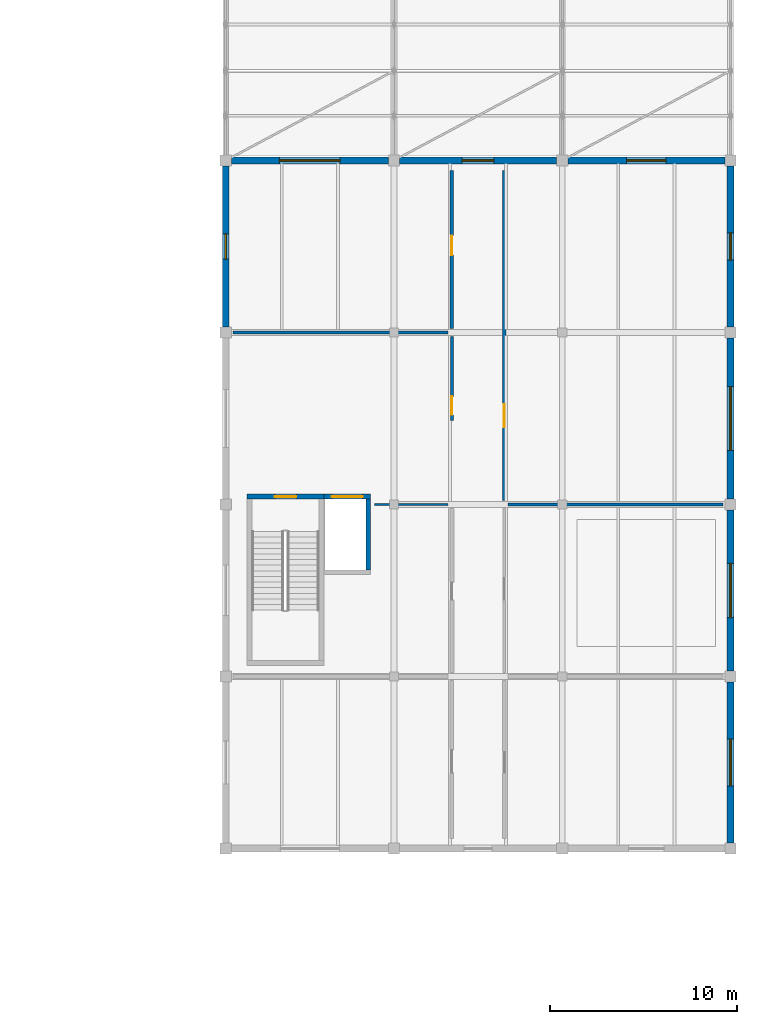
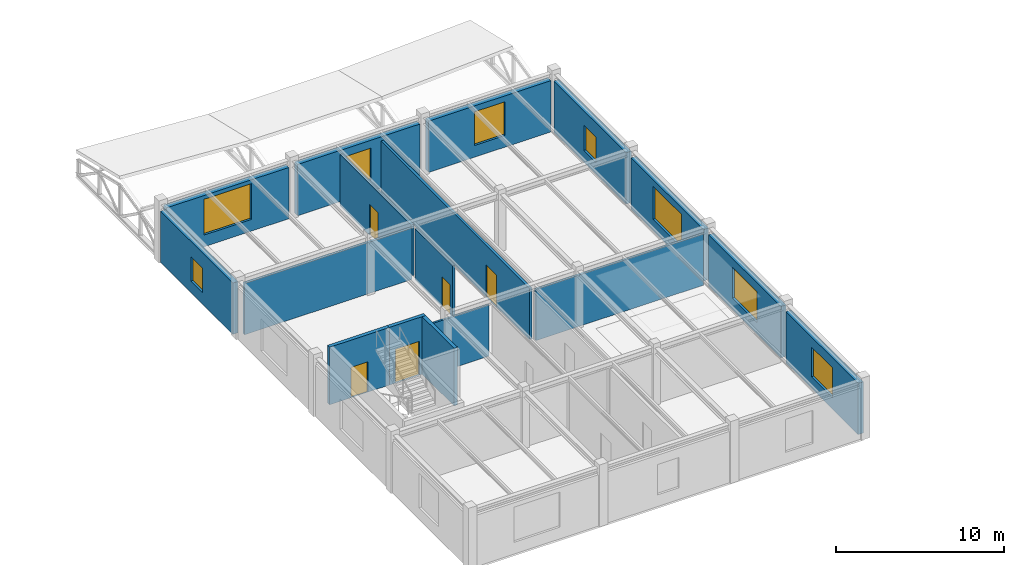
# One storey, part 46 of 55: 17 walls, 8 windows, 5 doors, 13 openings.
"""IFC4 building model written with IfcOpenShell, lengths in metres."""

from ifc_helpers import new_model, si_unit, direction, frame, frame_2d, origin, place, context, subcontext, project, spatial, rectangle, extrude, material, layer, layer_set, type_object, element, fill, save


model = new_model("IFC4")

# Units and contexts
model_context = context("Model", 3, precision=1e-05, world=origin(), true_north=direction((0.0, 1.0)))
body_context = subcontext(model_context, "Body", "Model", "MODEL_VIEW")
ifc_project = project(units=[si_unit("LENGTHUNIT", "METRE"), si_unit("AREAUNIT", "SQUARE_METRE"), si_unit("VOLUMEUNIT", "CUBIC_METRE"), si_unit("PLANEANGLEUNIT", "RADIAN"), si_unit("MASSUNIT", "GRAM", prefix="KILO")], contexts=[model_context])

# Site, building, storey
site_placement = place(None, origin())
site = spatial("IfcSite", under=ifc_project, at=site_placement, CompositionType="ELEMENT")
building_placement = place(site_placement, origin())
building = spatial("IfcBuilding", under=site, at=building_placement, Name="Bozkorgan Art Gallery", CompositionType="ELEMENT")
storey_placement = place(building_placement, frame((0.0, 0.0, 15.0)))
storey = spatial("IfcBuildingStorey", under=building, at=storey_placement, Name="L03", CompositionType="ELEMENT", Elevation=15.0)

# Wall, opening, door
ifc_material_1 = material(Name="Concrete C40/50", Category="concrete")
ifc_layer_1 = layer(ifc_material_1, 0.25, Name="Concrete C40/50")
ifc_layer_set_1 = layer_set([ifc_layer_1], Name="Concrete C40/50")
wall_type_1 = type_object("IfcWallType", Name="IWALL-CW-51", PredefinedType="SHEAR", material=ifc_layer_set_1)
wall_1_placement = place(storey_placement, frame((138.14990234375, 84.824951171875, 0.0), z_axis=(0.0, 0.0, 1.0), x_axis=(1.0, 0.0, 0.0)))
wall_1 = element("IfcWall", 1, at=wall_1_placement, inside=storey, type_object=wall_type_1, Name="CORE3 L03 stair core north shear wall", PredefinedType="SHEAR", context=body_context, shape_type="SweptSolid", body=[
    extrude(rectangle(XDim=4.10009765625, YDim=0.25, at=frame_2d((2.050048828125, 0.0))), origin(), (0.0, 0.0, 1.0), 4.179931640625),
])
opening_1_placement = place(wall_1_placement, frame((2.625, 0.0, 0.0), z_axis=(0.0, 0.0, 1.0), x_axis=(-1.0, 0.0, 0.0)))
opening_1 = element("IfcOpeningElement", 2, at=opening_1_placement, cuts=wall_1, Name="Opening SD-41", PredefinedType="OPENING", context=body_context, shape_type="SweptSolid", body=[
    extrude(rectangle(XDim=1.14990234375, YDim=2.199951171875, at=frame_2d((0.574951171875, 1.10009765625))), frame((0.0, 0.135009765625, 0.0), z_axis=(0.0, -1.0, 0.0), x_axis=(1.0, 0.0, 0.0)), (0.0, 0.0, 1.0), 0.27001953125),
])
ifc_material_2 = material(Name="Steel S355J2", Category="steel")
door_type_1 = type_object("IfcDoorType", Name="IDOOR-SD-41", OperationType="NOTDEFINED", PredefinedType="DOOR", material=ifc_material_2)
door_1_placement = place(opening_1_placement, origin())
door_1 = element("IfcDoor", 3, at=door_1_placement, inside=storey, type_object=door_type_1, Name="ST3 L03 Fire Stair Door", OperationType="SINGLE_SWING_LEFT", OverallHeight=2.199951171875, OverallWidth=1.14990234375, PredefinedType="DOOR", context=body_context, shape_type="SweptSolid", body=[
    extrude(rectangle(XDim=1.14990234375, YDim=2.199951171875, at=frame_2d((0.574951171875, 1.10009765625))), frame((0.0, 0.02490234375, 0.0), z_axis=(0.0, -1.0, 0.0), x_axis=(1.0, 0.0, 0.0)), (0.0, 0.0, 1.0), 0.050048828125),
])
fill(opening_1, door_1)

wall_2_placement = place(storey_placement, frame((142.25, 84.824951171875, 0.0), z_axis=(0.0, 0.0, 1.0), x_axis=(1.0, 0.0, 0.0)))
wall_2 = element("IfcWall", 4, at=wall_2_placement, inside=storey, type_object=wall_type_1, Name="GL1 L03 shaft front shear wall", PredefinedType="SHEAR", context=body_context, shape_type="SweptSolid", body=[
    extrude(rectangle(XDim=2.5, YDim=0.25, at=frame_2d((1.25, 0.0))), origin(), (0.0, 0.0, 1.0), 4.179931640625),
])
opening_2_placement = place(wall_2_placement, frame((0.425048828125, 0.0, 0.0)))
opening_2 = element("IfcOpeningElement", 5, at=opening_2_placement, cuts=wall_2, Name="Opening LD-87", PredefinedType="OPENING", context=body_context, shape_type="SweptSolid", body=[
    extrude(rectangle(XDim=1.64990234375, YDim=2.449951171875, at=frame_2d((0.824951171875, 1.22509765625))), frame((0.0, 0.135009765625, 0.0), z_axis=(0.0, -1.0, 0.0), x_axis=(1.0, 0.0, 0.0)), (0.0, 0.0, 1.0), 0.27001953125),
])
door_type_2 = type_object("IfcDoorType", Name="IDOOR-LD-87", OperationType="NOTDEFINED", PredefinedType="DOOR", material=ifc_material_2)
door_2_placement = place(opening_2_placement, origin())
door_2 = element("IfcDoor", 6, at=door_2_placement, inside=storey, type_object=door_type_2, Name="LD-GL1-L03 Lift Landing Door", OperationType="SLIDING_TO_LEFT", OverallHeight=2.449951171875, OverallWidth=1.64990234375, PredefinedType="DOOR", context=body_context, shape_type="SweptSolid", body=[
    extrude(rectangle(XDim=1.64990234375, YDim=2.449951171875, at=frame_2d((0.824951171875, 1.22509765625))), frame((0.0, 0.02490234375, 0.0), z_axis=(0.0, -1.0, 0.0), x_axis=(1.0, 0.0, 0.0)), (0.0, 0.0, 1.0), 0.050048828125),
])
fill(opening_2, door_2)

# Wall
wall_3_placement = place(storey_placement, frame((144.625, 80.89990234375, 0.0), z_axis=(0.0, 0.0, 1.0), x_axis=(0.0, 1.0, 0.0)))
element("IfcWall", 7, at=wall_3_placement, inside=storey, type_object=wall_type_1, Name="GL1 L03 shaft E shear wall", PredefinedType="SHEAR", context=body_context, shape_type="SweptSolid", body=[
    extrude(rectangle(XDim=3.800048828125, YDim=0.25, at=frame_2d((1.89990234375, 0.0))), origin(), (0.0, 0.0, 1.0), 4.179931640625),
])

# Wall, opening, door
ifc_material_3 = material(Name="Acoustic Gypsum & Mineral Wool Partition")
ifc_layer_2 = layer(ifc_material_3, 0.169921875, Name="Acoustic Gypsum & Mineral Wool Partition")
ifc_layer_set_2 = layer_set([ifc_layer_2], Name="Acoustic Gypsum & Mineral Wool Partition")
wall_type_2 = type_object("IfcWallType", Name="IWALL-PR-40", PredefinedType="PARTITIONING", material=ifc_layer_set_2)
wall_4_placement = place(storey_placement, frame((151.89990234375, 84.6201171875, 0.0), z_axis=(0.0, 0.0, 1.0), x_axis=(0.0, 1.0, 0.0)))
wall_4 = element("IfcWall", 8, at=wall_4_placement, inside=storey, type_object=wall_type_2, Name="V5 L03 acoustic partition wall 338", PredefinedType="PARTITIONING", context=body_context, shape_type="SweptSolid", body=[
    extrude(rectangle(XDim=17.639892578125, YDim=0.169921875, at=frame_2d((8.81982421875, 0.0))), origin(), (0.0, 0.0, 1.0), 3.72509765625),
])
opening_3_placement = place(wall_4_placement, frame((3.908935546875, 0.0, 0.0)))
opening_3 = element("IfcOpeningElement", 9, at=opening_3_placement, cuts=wall_4, Name="Opening FD-40", PredefinedType="OPENING", context=body_context, shape_type="SweptSolid", body=[
    extrude(rectangle(XDim=1.239990234375, YDim=2.320068359375, at=frame_2d((0.6201171875, 1.16015625))), frame((0.0, 0.094970703125, 0.0), z_axis=(0.0, -1.0, 0.0), x_axis=(1.0, 0.0, 0.0)), (0.0, 0.0, 1.0), 0.18994140625),
])
ifc_material_4 = material(Name="Oiled European Oak Joinery")
door_type_3 = type_object("IfcDoorType", Name="IDOOR-FD-40", OperationType="NOTDEFINED", PredefinedType="DOOR", material=ifc_material_4)
door_3_placement = place(opening_3_placement, origin())
door_3 = element("IfcDoor", 10, at=door_3_placement, inside=storey, type_object=door_type_3, Name="Chief Curator Office Door", OperationType="SINGLE_SWING_RIGHT", OverallHeight=2.320068359375, OverallWidth=1.239990234375, PredefinedType="DOOR", context=body_context, shape_type="SweptSolid", body=[
    extrude(rectangle(XDim=1.239990234375, YDim=2.320068359375, at=frame_2d((0.6201171875, 1.16015625))), frame((0.0, 0.02490234375, 0.0), z_axis=(0.0, -1.0, 0.0), x_axis=(1.0, 0.0, 0.0)), (0.0, 0.0, 1.0), 0.050048828125),
])
fill(opening_3, door_3)

ifc_layer_3 = layer(ifc_material_3, 0.14990234375, Name="Acoustic Gypsum & Mineral Wool Partition")
ifc_layer_set_3 = layer_set([ifc_layer_3], Name="Acoustic Gypsum & Mineral Wool Partition")
wall_type_3 = type_object("IfcWallType", Name="IWALL-PR-55", PredefinedType="PARTITIONING", material=ifc_layer_set_3)
wall_5_placement = place(storey_placement, frame((149.10009765625, 88.89990234375, 0.0), z_axis=(0.0, 0.0, 1.0), x_axis=(0.0, 1.0, 0.0)))
wall_5 = element("IfcWall", 11, at=wall_5_placement, inside=storey, type_object=wall_type_3, Name="V5 L03 acoustic partition wall 331", PredefinedType="PARTITIONING", context=body_context, shape_type="SweptSolid", body=[
    extrude(rectangle(XDim=4.47998046875, YDim=0.14990234375, at=frame_2d((2.239990234375, 0.0))), origin(), (0.0, 0.0, 1.0), 3.72509765625),
])
opening_4_placement = place(wall_5_placement, frame((1.280029296875, 0.0, 0.0), z_axis=(0.0, 0.0, 1.0), x_axis=(-1.0, 0.0, 0.0)))
opening_4 = element("IfcOpeningElement", 12, at=opening_4_placement, cuts=wall_5, Name="Opening FD-75", PredefinedType="OPENING", context=body_context, shape_type="SweptSolid", body=[
    extrude(rectangle(XDim=0.97998046875, YDim=2.179931640625, at=frame_2d((0.489990234375, 1.08984375))), frame((0.0, 0.0849609375, 0.0), z_axis=(0.0, -1.0, 0.0), x_axis=(1.0, 0.0, 0.0)), (0.0, 0.0, 1.0), 0.169921875),
])
door_type_4 = type_object("IfcDoorType", Name="IDOOR-FD-75", OperationType="NOTDEFINED", PredefinedType="DOOR", material=ifc_material_4)
door_4_placement = place(opening_4_placement, origin())
door_4 = element("IfcDoor", 13, at=door_4_placement, inside=storey, type_object=door_type_4, Name="Museum Administration Office Door", OperationType="SINGLE_SWING_RIGHT", OverallHeight=2.179931640625, OverallWidth=0.97998046875, PredefinedType="DOOR", context=body_context, shape_type="SweptSolid", body=[
    extrude(rectangle(XDim=0.97998046875, YDim=2.179931640625, at=frame_2d((0.489990234375, 1.08984375))), frame((0.0, 0.02490234375, 0.0), z_axis=(0.0, -1.0, 0.0), x_axis=(1.0, 0.0, 0.0)), (0.0, 0.0, 1.0), 0.050048828125),
])
fill(opening_4, door_4)

ifc_layer_4 = layer(ifc_material_3, 0.18994140625, Name="Acoustic Gypsum & Mineral Wool Partition")
ifc_layer_set_4 = layer_set([ifc_layer_4], Name="Acoustic Gypsum & Mineral Wool Partition")
wall_type_4 = type_object("IfcWallType", Name="IWALL-PR-66", PredefinedType="PARTITIONING", material=ifc_layer_set_4)
wall_6_placement = place(storey_placement, frame((149.10009765625, 93.820068359375, 0.0), z_axis=(0.0, 0.0, 1.0), x_axis=(0.0, 1.0, 0.0)))
wall_6 = element("IfcWall", 14, at=wall_6_placement, inside=storey, type_object=wall_type_4, Name="V5 L03 acoustic partition wall 333", PredefinedType="PARTITIONING", context=body_context, shape_type="SweptSolid", body=[
    extrude(rectangle(XDim=8.43994140625, YDim=0.18994140625, at=frame_2d((4.219970703125, 0.0))), origin(), (0.0, 0.0, 1.0), 3.72509765625),
])
opening_5_placement = place(wall_6_placement, frame((4.961181640625, 0.0, 0.0), z_axis=(0.0, 0.0, 1.0), x_axis=(-1.0, 0.0, 0.0)))
opening_5 = element("IfcOpeningElement", 15, at=opening_5_placement, cuts=wall_6, Name="Opening FD-96", PredefinedType="OPENING", context=body_context, shape_type="SweptSolid", body=[
    extrude(rectangle(XDim=1.0400390625, YDim=2.219970703125, at=frame_2d((0.52001953125, 1.10986328125))), frame((0.0, 0.10498046875, 0.0), z_axis=(0.0, -1.0, 0.0), x_axis=(1.0, 0.0, 0.0)), (0.0, 0.0, 1.0), 0.2099609375),
])
door_type_5 = type_object("IfcDoorType", Name="IDOOR-FD-96", OperationType="NOTDEFINED", PredefinedType="DOOR", material=ifc_material_4)
door_5_placement = place(opening_5_placement, origin())
door_5 = element("IfcDoor", 16, at=door_5_placement, inside=storey, type_object=door_type_5, Name="Publications Editorial Room Door", OperationType="SINGLE_SWING_LEFT", OverallHeight=2.219970703125, OverallWidth=1.0400390625, PredefinedType="DOOR", context=body_context, shape_type="SweptSolid", body=[
    extrude(rectangle(XDim=1.0400390625, YDim=2.219970703125, at=frame_2d((0.52001953125, 1.10986328125))), frame((0.0, 0.02490234375, 0.0), z_axis=(0.0, -1.0, 0.0), x_axis=(1.0, 0.0, 0.0)), (0.0, 0.0, 1.0), 0.050048828125),
])
fill(opening_5, door_5)

# Walls
ifc_layer_5 = layer(ifc_material_3, 0.169921875, Name="Acoustic Gypsum & Mineral Wool Partition")
ifc_layer_set_5 = layer_set([ifc_layer_5], Name="Acoustic Gypsum & Mineral Wool Partition")
wall_type_5 = type_object("IfcWallType", Name="IWALL-PW-02", PredefinedType="PARTITIONING", material=ifc_layer_set_5)
wall_7_placement = place(storey_placement, frame((137.39990234375, 93.60009765625, 0.0), z_axis=(0.0, 0.0, 1.0), x_axis=(1.0, 0.0, 0.0)))
element("IfcWall", 17, at=wall_7_placement, inside=storey, type_object=wall_type_5, Name="V5 L03 acoustic partition wall 332", PredefinedType="PARTITIONING", context=body_context, shape_type="SweptSolid", body=[
    extrude(rectangle(XDim=11.5, YDim=0.169921875, at=frame_2d((5.75, 0.0))), origin(), (0.0, 0.0, 1.0), 3.72509765625),
])
ifc_layer_6 = layer(ifc_material_3, 0.14990234375, Name="Acoustic Gypsum & Mineral Wool Partition")
ifc_layer_set_6 = layer_set([ifc_layer_6], Name="Acoustic Gypsum & Mineral Wool Partition")
wall_type_6 = type_object("IfcWallType", Name="IWALL-PW-17", PredefinedType="PARTITIONING", material=ifc_layer_set_6)
wall_8_placement = place(storey_placement, frame((152.10009765625, 84.39990234375, 0.0), z_axis=(0.0, 0.0, 1.0), x_axis=(1.0, 0.0, 0.0)))
element("IfcWall", 18, at=wall_8_placement, inside=storey, type_object=wall_type_6, Name="V5 L03 acoustic partition wall 337", PredefinedType="PARTITIONING", context=body_context, shape_type="SweptSolid", body=[
    extrude(rectangle(XDim=11.5, YDim=0.14990234375, at=frame_2d((5.75, 0.0))), origin(), (0.0, 0.0, 1.0), 3.72509765625),
])
ifc_layer_7 = layer(ifc_material_3, 0.1298828125, Name="Acoustic Gypsum & Mineral Wool Partition")
ifc_layer_set_7 = layer_set([ifc_layer_7], Name="Acoustic Gypsum & Mineral Wool Partition")
wall_type_7 = type_object("IfcWallType", Name="IWALL-PW-97", PredefinedType="PARTITIONING", material=ifc_layer_set_7)
wall_9_placement = place(storey_placement, frame((144.9599609375, 84.39990234375, 0.0), z_axis=(0.0, 0.0, 1.0), x_axis=(1.0, 0.0, 0.0)))
element("IfcWall", 19, at=wall_9_placement, inside=storey, type_object=wall_type_7, Name="V5 L03 acoustic partition wall 330", PredefinedType="PARTITIONING", context=body_context, shape_type="SweptSolid", body=[
    extrude(rectangle(XDim=3.93994140625, YDim=0.1298828125, at=frame_2d((1.969970703125, 0.0))), origin(), (0.0, 0.0, 1.0), 3.72509765625),
])

# Wall, opening, window
ifc_material_5 = material(Name="Pressed Terracotta Brick Masonry", Category="masonry")
ifc_layer_8 = layer(ifc_material_5, 0.360107421875, Name="Pressed Terracotta Brick Masonry")
ifc_layer_set_8 = layer_set([ifc_layer_8], Name="Pressed Terracotta Brick Masonry")
wall_type_8 = type_object("IfcWallType", Name="WALL-WB-99", PredefinedType="STANDARD", material=ifc_layer_set_8)
wall_10_placement = place(storey_placement, frame((137.300048828125, 102.800048828125, 0.0), z_axis=(0.0, 0.0, 1.0), x_axis=(1.0, 0.0, 0.0)))
wall_10 = element("IfcWall", 20, at=wall_10_placement, inside=storey, type_object=wall_type_8, Name="V5 L03 exterior facade wall 1N-2", PredefinedType="STANDARD", context=body_context, shape_type="SweptSolid", body=[
    extrude(rectangle(XDim=8.39990234375, YDim=0.360107421875, at=frame_2d((4.199951171875, 0.0))), origin(), (0.0, 0.0, 1.0), 3.72509765625),
])
opening_6_placement = place(wall_10_placement, frame((2.574951171875, 0.0, 0.85009765625)))
opening_6 = element("IfcOpeningElement", 21, at=opening_6_placement, cuts=wall_10, Name="Opening WN-38", PredefinedType="OPENING", context=body_context, shape_type="SweptSolid", body=[
    extrude(rectangle(XDim=3.25, YDim=2.60009765625, at=frame_2d((1.625, 1.300048828125))), frame((0.0, 0.18994140625, 0.0), z_axis=(0.0, -1.0, 0.0), x_axis=(1.0, 0.0, 0.0)), (0.0, 0.0, 1.0), 0.380126953125),
])
ifc_material_6 = material(Name="Triple Low-E Laminated Glass", Category="glass")
window_type_1 = type_object("IfcWindowType", Name="WIN-WN-38", PartitioningType="SINGLE_PANEL", PredefinedType="WINDOW", material=ifc_material_6)
window_1_placement = place(opening_6_placement, origin())
window_1 = element("IfcWindow", 22, at=window_1_placement, inside=storey, type_object=window_type_1, Name="V5 L03 gallery window 1N-2", OverallHeight=2.60009765625, OverallWidth=3.25, PartitioningType="SINGLE_PANEL", PredefinedType="WINDOW", context=body_context, shape_type="SweptSolid", body=[
    extrude(rectangle(XDim=3.25, YDim=2.60009765625, at=frame_2d((1.625, 1.300048828125))), frame((0.0, 0.030029296875, 0.0), z_axis=(0.0, -1.0, 0.0), x_axis=(1.0, 0.0, 0.0)), (0.0, 0.0, 1.0), 0.06005859375),
])
fill(opening_6, window_1)

wall_11_placement = place(storey_placement, frame((146.300048828125, 102.800048828125, 0.0), z_axis=(0.0, 0.0, 1.0), x_axis=(1.0, 0.0, 0.0)))
wall_11 = element("IfcWall", 23, at=wall_11_placement, inside=storey, type_object=wall_type_8, Name="V5 L03 exterior facade wall 1N-4", PredefinedType="STANDARD", context=body_context, shape_type="SweptSolid", body=[
    extrude(rectangle(XDim=8.39990234375, YDim=0.360107421875, at=frame_2d((4.199951171875, 0.0))), origin(), (0.0, 0.0, 1.0), 3.72509765625),
])
opening_7_placement = place(wall_11_placement, frame((3.35009765625, 0.0, 0.85009765625)))
opening_7 = element("IfcOpeningElement", 24, at=opening_7_placement, cuts=wall_11, Name="Opening WN-58", PredefinedType="OPENING", context=body_context, shape_type="SweptSolid", body=[
    extrude(rectangle(XDim=1.699951171875, YDim=2.300048828125, at=frame_2d((0.85009765625, 1.14990234375))), frame((0.0, 0.18994140625, 0.0), z_axis=(0.0, -1.0, 0.0), x_axis=(1.0, 0.0, 0.0)), (0.0, 0.0, 1.0), 0.380126953125),
])
window_type_2 = type_object("IfcWindowType", Name="WIN-WN-58", PartitioningType="SINGLE_PANEL", PredefinedType="WINDOW", material=ifc_material_6)
window_2_placement = place(opening_7_placement, origin())
window_2 = element("IfcWindow", 25, at=window_2_placement, inside=storey, type_object=window_type_2, Name="V5 L03 gallery window 1N-4", OverallHeight=2.300048828125, OverallWidth=1.699951171875, PartitioningType="SINGLE_PANEL", PredefinedType="WINDOW", context=body_context, shape_type="SweptSolid", body=[
    extrude(rectangle(XDim=1.699951171875, YDim=2.300048828125, at=frame_2d((0.85009765625, 1.14990234375))), frame((0.0, 0.030029296875, 0.0), z_axis=(0.0, -1.0, 0.0), x_axis=(1.0, 0.0, 0.0)), (0.0, 0.0, 1.0), 0.06005859375),
])
fill(opening_7, window_2)

wall_12_placement = place(storey_placement, frame((155.300048828125, 102.800048828125, 0.0), z_axis=(0.0, 0.0, 1.0), x_axis=(1.0, 0.0, 0.0)))
wall_12 = element("IfcWall", 26, at=wall_12_placement, inside=storey, type_object=wall_type_8, Name="V5 L03 exterior facade wall 1N-6", PredefinedType="STANDARD", context=body_context, shape_type="SweptSolid", body=[
    extrude(rectangle(XDim=8.39990234375, YDim=0.360107421875, at=frame_2d((4.199951171875, 0.0))), origin(), (0.0, 0.0, 1.0), 3.72509765625),
])
opening_8_placement = place(wall_12_placement, frame((3.14990234375, 0.0, 0.85009765625)))
opening_8 = element("IfcOpeningElement", 27, at=opening_8_placement, cuts=wall_12, Name="Opening WN-22", PredefinedType="OPENING", context=body_context, shape_type="SweptSolid", body=[
    extrude(rectangle(XDim=2.10009765625, YDim=2.449951171875, at=frame_2d((1.050048828125, 1.22509765625))), frame((0.0, 0.18994140625, 0.0), z_axis=(0.0, -1.0, 0.0), x_axis=(1.0, 0.0, 0.0)), (0.0, 0.0, 1.0), 0.380126953125),
])
window_type_3 = type_object("IfcWindowType", Name="WIN-WN-22", PartitioningType="SINGLE_PANEL", PredefinedType="WINDOW", material=ifc_material_6)
window_3_placement = place(opening_8_placement, origin())
window_3 = element("IfcWindow", 28, at=window_3_placement, inside=storey, type_object=window_type_3, Name="V5 L03 gallery window 1N-6", OverallHeight=2.449951171875, OverallWidth=2.10009765625, PartitioningType="SINGLE_PANEL", PredefinedType="WINDOW", context=body_context, shape_type="SweptSolid", body=[
    extrude(rectangle(XDim=2.10009765625, YDim=2.449951171875, at=frame_2d((1.050048828125, 1.22509765625))), frame((0.0, 0.030029296875, 0.0), z_axis=(0.0, -1.0, 0.0), x_axis=(1.0, 0.0, 0.0)), (0.0, 0.0, 1.0), 0.06005859375),
])
fill(opening_8, window_3)

wall_13_placement = place(storey_placement, frame((164.0, 66.300048828125, 0.0), z_axis=(0.0, 0.0, 1.0), x_axis=(0.0, 1.0, 0.0)))
wall_13 = element("IfcWall", 29, at=wall_13_placement, inside=storey, type_object=wall_type_8, Name="V5 L03 exterior facade wall 1E-8", PredefinedType="STANDARD", context=body_context, shape_type="SweptSolid", body=[
    extrude(rectangle(XDim=8.599853515625, YDim=0.360107421875, at=frame_2d((4.2998046875, 0.0))), origin(), (0.0, 0.0, 1.0), 3.72509765625),
])
opening_9_placement = place(wall_13_placement, frame((5.550048828125, 0.0, 0.85009765625), z_axis=(0.0, 0.0, 1.0), x_axis=(-1.0, 0.0, 0.0)))
opening_9 = element("IfcOpeningElement", 30, at=opening_9_placement, cuts=wall_13, Name="Opening WN-55", PredefinedType="OPENING", context=body_context, shape_type="SweptSolid", body=[
    extrude(rectangle(XDim=2.5, YDim=2.14990234375, at=frame_2d((1.25, 1.074951171875))), frame((0.0, 0.18994140625, 0.0), z_axis=(0.0, -1.0, 0.0), x_axis=(1.0, 0.0, 0.0)), (0.0, 0.0, 1.0), 0.380126953125),
])
window_type_4 = type_object("IfcWindowType", Name="WIN-WN-55", PartitioningType="SINGLE_PANEL", PredefinedType="WINDOW", material=ifc_material_6)
window_4_placement = place(opening_9_placement, origin())
window_4 = element("IfcWindow", 31, at=window_4_placement, inside=storey, type_object=window_type_4, Name="V5 L03 gallery window 1E-8", OverallHeight=2.14990234375, OverallWidth=2.5, PartitioningType="SINGLE_PANEL", PredefinedType="WINDOW", context=body_context, shape_type="SweptSolid", body=[
    extrude(rectangle(XDim=2.5, YDim=2.14990234375, at=frame_2d((1.25, 1.074951171875))), frame((0.0, 0.030029296875, 0.0), z_axis=(0.0, -1.0, 0.0), x_axis=(1.0, 0.0, 0.0)), (0.0, 0.0, 1.0), 0.06005859375),
])
fill(opening_9, window_4)

wall_14_placement = place(storey_placement, frame((164.0, 75.5, 0.0), z_axis=(0.0, 0.0, 1.0), x_axis=(0.0, 1.0, 0.0)))
wall_14 = element("IfcWall", 32, at=wall_14_placement, inside=storey, type_object=wall_type_8, Name="V5 L03 exterior facade wall 1E-10", PredefinedType="STANDARD", context=body_context, shape_type="SweptSolid", body=[
    extrude(rectangle(XDim=8.60009765625, YDim=0.360107421875, at=frame_2d((4.300048828125, 0.0))), origin(), (0.0, 0.0, 1.0), 3.72509765625),
])
opening_10_placement = place(wall_14_placement, frame((5.75, 0.0, 0.85009765625), z_axis=(0.0, 0.0, 1.0), x_axis=(-1.0, 0.0, 0.0)))
opening_10 = element("IfcOpeningElement", 33, at=opening_10_placement, cuts=wall_14, Name="Opening WN-54", PredefinedType="OPENING", context=body_context, shape_type="SweptSolid", body=[
    extrude(rectangle(XDim=2.89990234375, YDim=2.25, at=frame_2d((1.449951171875, 1.125))), frame((0.0, 0.18994140625, 0.0), z_axis=(0.0, -1.0, 0.0), x_axis=(1.0, 0.0, 0.0)), (0.0, 0.0, 1.0), 0.380126953125),
])
window_type_5 = type_object("IfcWindowType", Name="WIN-WN-54", PartitioningType="SINGLE_PANEL", PredefinedType="WINDOW", material=ifc_material_6)
window_5_placement = place(opening_10_placement, origin())
window_5 = element("IfcWindow", 34, at=window_5_placement, inside=storey, type_object=window_type_5, Name="V5 L03 gallery window 1E-10", OverallHeight=2.25, OverallWidth=2.89990234375, PartitioningType="SINGLE_PANEL", PredefinedType="WINDOW", context=body_context, shape_type="SweptSolid", body=[
    extrude(rectangle(XDim=2.89990234375, YDim=2.25, at=frame_2d((1.449951171875, 1.125))), frame((0.0, 0.030029296875, 0.0), z_axis=(0.0, -1.0, 0.0), x_axis=(1.0, 0.0, 0.0)), (0.0, 0.0, 1.0), 0.06005859375),
])
fill(opening_10, window_5)

wall_15_placement = place(storey_placement, frame((164.0, 84.699951171875, 0.0), z_axis=(0.0, 0.0, 1.0), x_axis=(0.0, 1.0, 0.0)))
wall_15 = element("IfcWall", 35, at=wall_15_placement, inside=storey, type_object=wall_type_8, Name="V5 L03 exterior facade wall 1E-12", PredefinedType="STANDARD", context=body_context, shape_type="SweptSolid", body=[
    extrude(rectangle(XDim=8.60009765625, YDim=0.360107421875, at=frame_2d((4.300048828125, 0.0))), origin(), (0.0, 0.0, 1.0), 3.72509765625),
])
opening_11_placement = place(wall_15_placement, frame((6.0, 0.0, 0.85009765625), z_axis=(0.0, 0.0, 1.0), x_axis=(-1.0, 0.0, 0.0)))
opening_11 = element("IfcOpeningElement", 36, at=opening_11_placement, cuts=wall_15, Name="Opening WN-90", PredefinedType="OPENING", context=body_context, shape_type="SweptSolid", body=[
    extrude(rectangle(XDim=3.39990234375, YDim=2.39990234375, at=frame_2d((1.699951171875, 1.199951171875))), frame((0.0, 0.18994140625, 0.0), z_axis=(0.0, -1.0, 0.0), x_axis=(1.0, 0.0, 0.0)), (0.0, 0.0, 1.0), 0.380126953125),
])
window_type_6 = type_object("IfcWindowType", Name="WIN-WN-90", PartitioningType="SINGLE_PANEL", PredefinedType="WINDOW", material=ifc_material_6)
window_6_placement = place(opening_11_placement, origin())
window_6 = element("IfcWindow", 37, at=window_6_placement, inside=storey, type_object=window_type_6, Name="V5 L03 gallery window 1E-12", OverallHeight=2.39990234375, OverallWidth=3.39990234375, PartitioningType="SINGLE_PANEL", PredefinedType="WINDOW", context=body_context, shape_type="SweptSolid", body=[
    extrude(rectangle(XDim=3.39990234375, YDim=2.39990234375, at=frame_2d((1.699951171875, 1.199951171875))), frame((0.0, 0.030029296875, 0.0), z_axis=(0.0, -1.0, 0.0), x_axis=(1.0, 0.0, 0.0)), (0.0, 0.0, 1.0), 0.06005859375),
])
fill(opening_11, window_6)

wall_16_placement = place(storey_placement, frame((137.0, 93.89990234375, 0.0), z_axis=(0.0, 0.0, 1.0), x_axis=(0.0, 1.0, 0.0)))
wall_16 = element("IfcWall", 38, at=wall_16_placement, inside=storey, type_object=wall_type_8, Name="V5 L03 exterior facade wall 1W-13", PredefinedType="STANDARD", context=body_context, shape_type="SweptSolid", body=[
    extrude(rectangle(XDim=8.60009765625, YDim=0.360107421875, at=frame_2d((4.300048828125, 0.0))), origin(), (0.0, 0.0, 1.0), 3.72509765625),
])
opening_12_placement = place(wall_16_placement, frame((3.625, 0.0, 0.85009765625)))
opening_12 = element("IfcOpeningElement", 39, at=opening_12_placement, cuts=wall_16, Name="Opening WN-63", PredefinedType="OPENING", context=body_context, shape_type="SweptSolid", body=[
    extrude(rectangle(XDim=1.35009765625, YDim=1.75, at=frame_2d((0.675048828125, 0.875))), frame((0.0, 0.18994140625, 0.0), z_axis=(0.0, -1.0, 0.0), x_axis=(1.0, 0.0, 0.0)), (0.0, 0.0, 1.0), 0.380126953125),
])
window_type_7 = type_object("IfcWindowType", Name="WIN-WN-63", PartitioningType="SINGLE_PANEL", PredefinedType="WINDOW", material=ifc_material_6)
window_7_placement = place(opening_12_placement, origin())
window_7 = element("IfcWindow", 40, at=window_7_placement, inside=storey, type_object=window_type_7, Name="V5 L03 gallery window 1W-13", OverallHeight=1.75, OverallWidth=1.35009765625, PartitioningType="SINGLE_PANEL", PredefinedType="WINDOW", context=body_context, shape_type="SweptSolid", body=[
    extrude(rectangle(XDim=1.35009765625, YDim=1.75, at=frame_2d((0.675048828125, 0.875))), frame((0.0, 0.030029296875, 0.0), z_axis=(0.0, -1.0, 0.0), x_axis=(1.0, 0.0, 0.0)), (0.0, 0.0, 1.0), 0.06005859375),
])
fill(opening_12, window_7)

wall_17_placement = place(storey_placement, frame((164.0, 93.89990234375, 0.0), z_axis=(0.0, 0.0, 1.0), x_axis=(0.0, 1.0, 0.0)))
wall_17 = element("IfcWall", 41, at=wall_17_placement, inside=storey, type_object=wall_type_8, Name="V5 L03 exterior facade wall 1E-14", PredefinedType="STANDARD", context=body_context, shape_type="SweptSolid", body=[
    extrude(rectangle(XDim=8.60009765625, YDim=0.360107421875, at=frame_2d((4.300048828125, 0.0))), origin(), (0.0, 0.0, 1.0), 3.72509765625),
])
opening_13_placement = place(wall_17_placement, frame((5.02490234375, 0.0, 0.85009765625), z_axis=(0.0, 0.0, 1.0), x_axis=(-1.0, 0.0, 0.0)))
opening_13 = element("IfcOpeningElement", 42, at=opening_13_placement, cuts=wall_17, Name="Opening WN-34", PredefinedType="OPENING", context=body_context, shape_type="SweptSolid", body=[
    extrude(rectangle(XDim=1.449951171875, YDim=1.85009765625, at=frame_2d((0.72509765625, 0.925048828125))), frame((0.0, 0.18994140625, 0.0), z_axis=(0.0, -1.0, 0.0), x_axis=(1.0, 0.0, 0.0)), (0.0, 0.0, 1.0), 0.380126953125),
])
window_type_8 = type_object("IfcWindowType", Name="WIN-WN-34", PartitioningType="SINGLE_PANEL", PredefinedType="WINDOW", material=ifc_material_6)
window_8_placement = place(opening_13_placement, origin())
window_8 = element("IfcWindow", 43, at=window_8_placement, inside=storey, type_object=window_type_8, Name="V5 L03 gallery window 1E-14", OverallHeight=1.85009765625, OverallWidth=1.449951171875, PartitioningType="SINGLE_PANEL", PredefinedType="WINDOW", context=body_context, shape_type="SweptSolid", body=[
    extrude(rectangle(XDim=1.449951171875, YDim=1.85009765625, at=frame_2d((0.72509765625, 0.925048828125))), frame((0.0, 0.030029296875, 0.0), z_axis=(0.0, -1.0, 0.0), x_axis=(1.0, 0.0, 0.0)), (0.0, 0.0, 1.0), 0.06005859375),
])
fill(opening_13, window_8)

save(model, "model.ifc")
